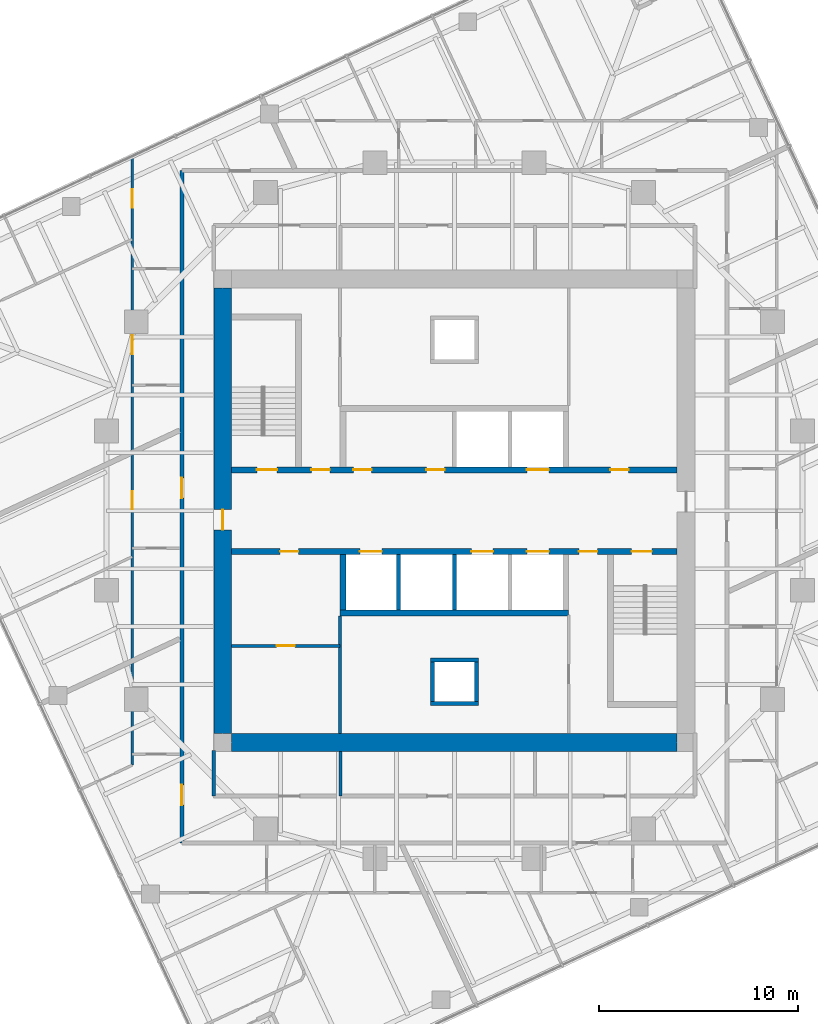
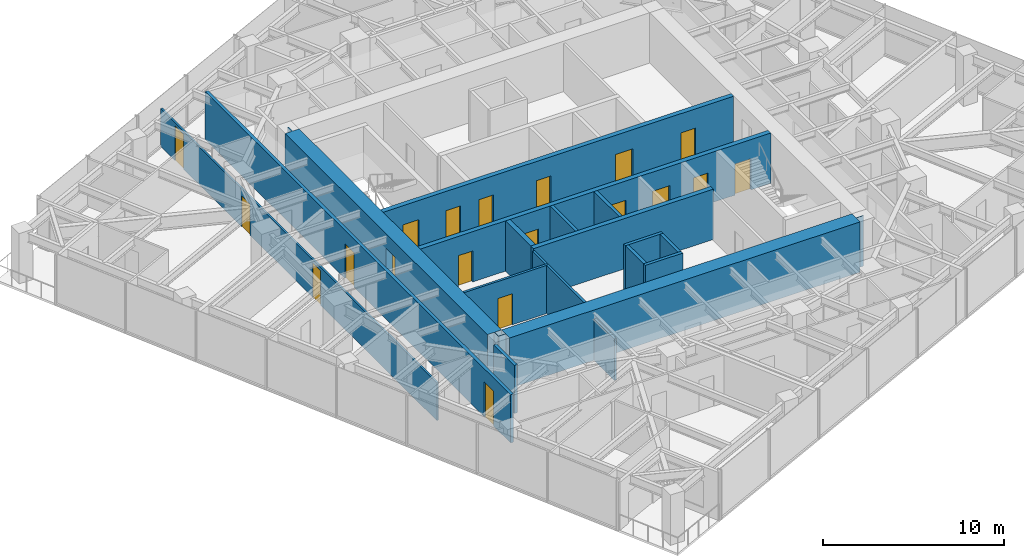
# One storey, part 8 of 12: 19 doors, 18 walls, 19 openings.
"""IFC4 building model written with IfcOpenShell, lengths in metres."""

from ifc_helpers import new_model, si_unit, direction, frame, frame_2d, origin, place, context, subcontext, project, spatial, polyline, rectangle, outline, extrude, material, layer, layer_set, type_object, element, fill, save


model = new_model("IFC4")

# Units and contexts
model_context = context("Model", 3, precision=1e-05, world=origin(), true_north=direction((0.0, 1.0)))
body_context = subcontext(model_context, "Body", "Model", "MODEL_VIEW")
ifc_project = project(units=[si_unit("LENGTHUNIT", "METRE"), si_unit("AREAUNIT", "SQUARE_METRE"), si_unit("VOLUMEUNIT", "CUBIC_METRE"), si_unit("PLANEANGLEUNIT", "RADIAN"), si_unit("MASSUNIT", "GRAM", prefix="KILO")], contexts=[model_context])

# Site, building, storey
site_placement = place(None, origin())
site = spatial("IfcSite", under=ifc_project, at=site_placement, CompositionType="ELEMENT")
building_placement = place(site_placement, origin())
building = spatial("IfcBuilding", under=site, at=building_placement, Name="Torsade Residences", CompositionType="ELEMENT")
storey_placement = place(building_placement, frame((0.0, 0.0, 189.60009765625)))
storey = spatial("IfcBuildingStorey", under=building, at=storey_placement, Name="L52", CompositionType="ELEMENT", Elevation=189.60009765625)

# Wall, openings, doors
ifc_material_1 = material(Name="Concrete 80 MPa", Category="concrete")
ifc_layer_1 = layer(ifc_material_1, 0.300048828125)
ifc_layer_set_1 = layer_set([ifc_layer_1], Name="Concrete 80 MPa")
wall_type_1 = type_object("IfcWallType", Name="CORE INTERNAL WALL 300", PredefinedType="SHEAR", material=ifc_layer_set_1)
wall_1_placement = place(storey_placement, frame((28.800048828125, 32.050048828125, 0.0), z_axis=(0.0, 0.0, 1.0), x_axis=(1.0, 0.0, 0.0)))
wall_1 = element("IfcWall", 1, at=wall_1_placement, inside=storey, type_object=wall_type_1, Name="Core wall LN L52", PredefinedType="SHEAR", context=body_context, shape_type="SweptSolid", body=[
    extrude(rectangle(XDim=22.39990234375, YDim=0.300048828125, at=frame_2d((11.199951171875, 0.0))), origin(), (0.0, 0.0, 1.0), 3.39990234375),
])
opening_1_placement = place(wall_1_placement, frame((19.0400390625, 0.0, 0.0)))
opening_1 = element("IfcOpeningElement", 2, at=opening_1_placement, cuts=wall_1, Name="Opening D06", PredefinedType="OPENING", context=body_context, shape_type="SweptSolid", body=[
    extrude(rectangle(XDim=0.919921875, YDim=2.10009765625, at=frame_2d((0.4599609375, 1.050048828125))), frame((0.0, 0.159912109375, 0.0), z_axis=(0.0, -1.0, 0.0), x_axis=(1.0, 0.0, 0.0)), (0.0, 0.0, 1.0), 0.320068359375),
])
opening_2_placement = place(wall_1_placement, frame((1.264892578125, 0.0, 0.0)))
opening_2 = element("IfcOpeningElement", 3, at=opening_2_placement, cuts=wall_1, Name="Opening D03", PredefinedType="OPENING", context=body_context, shape_type="SweptSolid", body=[
    extrude(rectangle(XDim=1.02001953125, YDim=2.10009765625, at=frame_2d((0.510009765625, 1.050048828125))), frame((0.0, 0.159912109375, 0.0), z_axis=(0.0, -1.0, 0.0), x_axis=(1.0, 0.0, 0.0)), (0.0, 0.0, 1.0), 0.320068359375),
])
opening_3_placement = place(wall_1_placement, frame((4.014892578125, 0.0, 0.0)))
opening_3 = element("IfcOpeningElement", 4, at=opening_3_placement, cuts=wall_1, Name="Opening D06", PredefinedType="OPENING", context=body_context, shape_type="SweptSolid", body=[
    extrude(rectangle(XDim=0.919921875, YDim=2.10009765625, at=frame_2d((0.4599609375, 1.050048828125))), frame((0.0, 0.159912109375, 0.0), z_axis=(0.0, -1.0, 0.0), x_axis=(1.0, 0.0, 0.0)), (0.0, 0.0, 1.0), 0.320068359375),
])
opening_4_placement = place(wall_1_placement, frame((6.114990234375, 0.0, 0.0)))
opening_4 = element("IfcOpeningElement", 5, at=opening_4_placement, cuts=wall_1, Name="Opening D06", PredefinedType="OPENING", context=body_context, shape_type="SweptSolid", body=[
    extrude(rectangle(XDim=0.919921875, YDim=2.10009765625, at=frame_2d((0.4599609375, 1.050048828125))), frame((0.0, 0.159912109375, 0.0), z_axis=(0.0, -1.0, 0.0), x_axis=(1.0, 0.0, 0.0)), (0.0, 0.0, 1.0), 0.320068359375),
])
opening_5_placement = place(wall_1_placement, frame((9.7900390625, 0.0, 0.0)))
opening_5 = element("IfcOpeningElement", 6, at=opening_5_placement, cuts=wall_1, Name="Opening D06", PredefinedType="OPENING", context=body_context, shape_type="SweptSolid", body=[
    extrude(rectangle(XDim=0.919921875, YDim=2.10009765625, at=frame_2d((0.4599609375, 1.050048828125))), frame((0.0, 0.159912109375, 0.0), z_axis=(0.0, -1.0, 0.0), x_axis=(1.0, 0.0, 0.0)), (0.0, 0.0, 1.0), 0.320068359375),
])
opening_6_placement = place(wall_1_placement, frame((14.85009765625, 0.0, 0.0)))
opening_6 = element("IfcOpeningElement", 7, at=opening_6_placement, cuts=wall_1, Name="Opening LD", PredefinedType="OPENING", context=body_context, shape_type="SweptSolid", body=[
    extrude(rectangle(XDim=1.10009765625, YDim=2.10009765625, at=frame_2d((0.550048828125, 1.050048828125))), frame((0.0, 0.159912109375, 0.0), z_axis=(0.0, -1.0, 0.0), x_axis=(1.0, 0.0, 0.0)), (0.0, 0.0, 1.0), 0.320068359375),
])
ifc_material_2 = material(Name="Steel-framed fire door", Category="steel")
door_type_1 = type_object("IfcDoorType", Name="FIRE DOOR 1020", OperationType="NOTDEFINED", PredefinedType="DOOR", material=ifc_material_2)
door_1_placement = place(opening_2_placement, origin())
door_1 = element("IfcDoor", 8, at=door_1_placement, inside=storey, type_object=door_type_1, Name="Exit door to fire-isolated stair ST1 L52", OperationType="SINGLE_SWING_RIGHT", OverallHeight=2.10009765625, OverallWidth=1.02001953125, PredefinedType="DOOR", context=body_context, shape_type="SweptSolid", body=[
    extrude(rectangle(XDim=1.02001953125, YDim=2.10009765625, at=frame_2d((0.510009765625, 1.050048828125))), frame((0.0, 0.02490234375, 0.0), z_axis=(0.0, -1.0, 0.0), x_axis=(1.0, 0.0, 0.0)), (0.0, 0.0, 1.0), 0.050048828125),
])
fill(opening_2, door_1)
ifc_material_3 = material(Name="Steel-framed fire door", Category="steel")
door_type_2 = type_object("IfcDoorType", Name="FIRE DOOR 920", OperationType="NOTDEFINED", PredefinedType="DOOR", material=ifc_material_3)
door_2_placement = place(opening_1_placement, origin())
door_2 = element("IfcDoor", 9, at=door_2_placement, inside=storey, type_object=door_type_2, Name="Door Lift lobby to Refuse room", OperationType="SINGLE_SWING_LEFT", OverallHeight=2.10009765625, OverallWidth=0.919921875, PredefinedType="DOOR", context=body_context, shape_type="SweptSolid", body=[
    extrude(rectangle(XDim=0.919921875, YDim=2.10009765625, at=frame_2d((0.4599609375, 1.050048828125))), frame((0.0, 0.02490234375, 0.0), z_axis=(0.0, -1.0, 0.0), x_axis=(1.0, 0.0, 0.0)), (0.0, 0.0, 1.0), 0.050048828125),
])
fill(opening_1, door_2)
door_3_placement = place(opening_3_placement, origin())
door_3 = element("IfcDoor", 10, at=door_3_placement, inside=storey, type_object=door_type_2, Name="Door Lift lobby to Main switchboard store", OperationType="SINGLE_SWING_LEFT", OverallHeight=2.10009765625, OverallWidth=0.919921875, PredefinedType="DOOR", context=body_context, shape_type="SweptSolid", body=[
    extrude(rectangle(XDim=0.919921875, YDim=2.10009765625, at=frame_2d((0.4599609375, 1.050048828125))), frame((0.0, 0.02490234375, 0.0), z_axis=(0.0, -1.0, 0.0), x_axis=(1.0, 0.0, 0.0)), (0.0, 0.0, 1.0), 0.050048828125),
])
fill(opening_3, door_3)
door_4_placement = place(opening_4_placement, origin())
door_4 = element("IfcDoor", 11, at=door_4_placement, inside=storey, type_object=door_type_2, Name="Door Lift lobby to Building manager store L52A", OperationType="SINGLE_SWING_LEFT", OverallHeight=2.10009765625, OverallWidth=0.919921875, PredefinedType="DOOR", context=body_context, shape_type="SweptSolid", body=[
    extrude(rectangle(XDim=0.919921875, YDim=2.10009765625, at=frame_2d((0.4599609375, 1.050048828125))), frame((0.0, 0.02490234375, 0.0), z_axis=(0.0, -1.0, 0.0), x_axis=(1.0, 0.0, 0.0)), (0.0, 0.0, 1.0), 0.050048828125),
])
fill(opening_4, door_4)
door_5_placement = place(opening_5_placement, origin())
door_5 = element("IfcDoor", 12, at=door_5_placement, inside=storey, type_object=door_type_2, Name="Door Lift lobby to Building manager store L52A", OperationType="SINGLE_SWING_RIGHT", OverallHeight=2.10009765625, OverallWidth=0.919921875, PredefinedType="DOOR", context=body_context, shape_type="SweptSolid", body=[
    extrude(rectangle(XDim=0.919921875, YDim=2.10009765625, at=frame_2d((0.4599609375, 1.050048828125))), frame((0.0, 0.02490234375, 0.0), z_axis=(0.0, -1.0, 0.0), x_axis=(1.0, 0.0, 0.0)), (0.0, 0.0, 1.0), 0.050048828125),
])
fill(opening_5, door_5)
ifc_material_4 = material(Name="Stainless steel lift landing door", Category="steel")
door_type_3 = type_object("IfcDoorType", Name="LIFT LANDING DOOR 1100", OperationType="SLIDING_TO_LEFT", PredefinedType="DOOR", material=ifc_material_4)
door_6_placement = place(opening_6_placement, origin())
door_6 = element("IfcDoor", 13, at=door_6_placement, inside=storey, type_object=door_type_3, Name="Lift FL1 landing door L52", OperationType="SLIDING_TO_LEFT", OverallHeight=2.10009765625, OverallWidth=1.10009765625, PredefinedType="DOOR", context=body_context, shape_type="SweptSolid", body=[
    extrude(rectangle(XDim=1.10009765625, YDim=2.10009765625, at=frame_2d((0.550048828125, 1.050048828125))), frame((0.0, 0.02490234375, 0.0), z_axis=(0.0, -1.0, 0.0), x_axis=(1.0, 0.0, 0.0)), (0.0, 0.0, 1.0), 0.050048828125),
])
fill(opening_6, door_6)

wall_2_placement = place(storey_placement, frame((51.199951171875, 27.949951171875, 0.0), z_axis=(0.0, 0.0, 1.0), x_axis=(-1.0, 0.0, 0.0)))
wall_2 = element("IfcWall", 14, at=wall_2_placement, inside=storey, type_object=wall_type_1, Name="Core wall LS L52", PredefinedType="SHEAR", context=body_context, shape_type="SweptSolid", body=[
    extrude(rectangle(XDim=22.39990234375, YDim=0.300048828125, at=frame_2d((11.199951171875, 0.0))), origin(), (0.0, 0.0, 1.0), 3.39990234375),
])
opening_7_placement = place(wall_2_placement, frame((19.0400390625, 0.0, 0.0)))
opening_7 = element("IfcOpeningElement", 15, at=opening_7_placement, cuts=wall_2, Name="Opening D06", PredefinedType="OPENING", context=body_context, shape_type="SweptSolid", body=[
    extrude(rectangle(XDim=0.919921875, YDim=2.10009765625, at=frame_2d((0.4599609375, 1.050048828125))), frame((0.0, 0.159912109375, 0.0), z_axis=(0.0, -1.0, 0.0), x_axis=(1.0, 0.0, 0.0)), (0.0, 0.0, 1.0), 0.320068359375),
])
opening_8_placement = place(wall_2_placement, frame((1.264892578125, 0.0, 0.0)))
opening_8 = element("IfcOpeningElement", 16, at=opening_8_placement, cuts=wall_2, Name="Opening D03", PredefinedType="OPENING", context=body_context, shape_type="SweptSolid", body=[
    extrude(rectangle(XDim=1.02001953125, YDim=2.10009765625, at=frame_2d((0.510009765625, 1.050048828125))), frame((0.0, 0.159912109375, 0.0), z_axis=(0.0, -1.0, 0.0), x_axis=(1.0, 0.0, 0.0)), (0.0, 0.0, 1.0), 0.320068359375),
])
opening_9_placement = place(wall_2_placement, frame((4.014892578125, 0.0, 0.0)))
opening_9 = element("IfcOpeningElement", 17, at=opening_9_placement, cuts=wall_2, Name="Opening D06", PredefinedType="OPENING", context=body_context, shape_type="SweptSolid", body=[
    extrude(rectangle(XDim=0.919921875, YDim=2.10009765625, at=frame_2d((0.4599609375, 1.050048828125))), frame((0.0, 0.159912109375, 0.0), z_axis=(0.0, -1.0, 0.0), x_axis=(1.0, 0.0, 0.0)), (0.0, 0.0, 1.0), 0.320068359375),
])
opening_10_placement = place(wall_2_placement, frame((6.449951171875, 0.0, 0.0)))
opening_10 = element("IfcOpeningElement", 18, at=opening_10_placement, cuts=wall_2, Name="Opening LD", PredefinedType="OPENING", context=body_context, shape_type="SweptSolid", body=[
    extrude(rectangle(XDim=1.10009765625, YDim=2.10009765625, at=frame_2d((0.550048828125, 1.050048828125))), frame((0.0, 0.159912109375, 0.0), z_axis=(0.0, -1.0, 0.0), x_axis=(1.0, 0.0, 0.0)), (0.0, 0.0, 1.0), 0.320068359375),
])
opening_11_placement = place(wall_2_placement, frame((9.25, 0.0, 0.0)))
opening_11 = element("IfcOpeningElement", 19, at=opening_11_placement, cuts=wall_2, Name="Opening LD", PredefinedType="OPENING", context=body_context, shape_type="SweptSolid", body=[
    extrude(rectangle(XDim=1.10009765625, YDim=2.10009765625, at=frame_2d((0.550048828125, 1.050048828125))), frame((0.0, 0.159912109375, 0.0), z_axis=(0.0, -1.0, 0.0), x_axis=(1.0, 0.0, 0.0)), (0.0, 0.0, 1.0), 0.320068359375),
])
opening_12_placement = place(wall_2_placement, frame((14.85009765625, 0.0, 0.0)))
opening_12 = element("IfcOpeningElement", 20, at=opening_12_placement, cuts=wall_2, Name="Opening LD", PredefinedType="OPENING", context=body_context, shape_type="SweptSolid", body=[
    extrude(rectangle(XDim=1.10009765625, YDim=2.10009765625, at=frame_2d((0.550048828125, 1.050048828125))), frame((0.0, 0.159912109375, 0.0), z_axis=(0.0, -1.0, 0.0), x_axis=(1.0, 0.0, 0.0)), (0.0, 0.0, 1.0), 0.320068359375),
])
door_7_placement = place(opening_8_placement, origin())
door_7 = element("IfcDoor", 21, at=door_7_placement, inside=storey, type_object=door_type_1, Name="Exit door to fire-isolated stair ST2 L52", OperationType="SINGLE_SWING_RIGHT", OverallHeight=2.10009765625, OverallWidth=1.02001953125, PredefinedType="DOOR", context=body_context, shape_type="SweptSolid", body=[
    extrude(rectangle(XDim=1.02001953125, YDim=2.10009765625, at=frame_2d((0.510009765625, 1.050048828125))), frame((0.0, 0.02490234375, 0.0), z_axis=(0.0, -1.0, 0.0), x_axis=(1.0, 0.0, 0.0)), (0.0, 0.0, 1.0), 0.050048828125),
])
fill(opening_8, door_7)
door_8_placement = place(opening_7_placement, origin())
door_8 = element("IfcDoor", 22, at=door_8_placement, inside=storey, type_object=door_type_2, Name="Door Lift lobby to Cleaner store", OperationType="SINGLE_SWING_LEFT", OverallHeight=2.10009765625, OverallWidth=0.919921875, PredefinedType="DOOR", context=body_context, shape_type="SweptSolid", body=[
    extrude(rectangle(XDim=0.919921875, YDim=2.10009765625, at=frame_2d((0.4599609375, 1.050048828125))), frame((0.0, 0.02490234375, 0.0), z_axis=(0.0, -1.0, 0.0), x_axis=(1.0, 0.0, 0.0)), (0.0, 0.0, 1.0), 0.050048828125),
])
fill(opening_7, door_8)
door_9_placement = place(opening_9_placement, origin())
door_9 = element("IfcDoor", 23, at=door_9_placement, inside=storey, type_object=door_type_2, Name="Door Lift lobby to Security and data store", OperationType="SINGLE_SWING_RIGHT", OverallHeight=2.10009765625, OverallWidth=0.919921875, PredefinedType="DOOR", context=body_context, shape_type="SweptSolid", body=[
    extrude(rectangle(XDim=0.919921875, YDim=2.10009765625, at=frame_2d((0.4599609375, 1.050048828125))), frame((0.0, 0.02490234375, 0.0), z_axis=(0.0, -1.0, 0.0), x_axis=(1.0, 0.0, 0.0)), (0.0, 0.0, 1.0), 0.050048828125),
])
fill(opening_9, door_9)
door_10_placement = place(opening_10_placement, origin())
door_10 = element("IfcDoor", 24, at=door_10_placement, inside=storey, type_object=door_type_3, Name="Lift LB1 landing door L52", OperationType="SLIDING_TO_LEFT", OverallHeight=2.10009765625, OverallWidth=1.10009765625, PredefinedType="DOOR", context=body_context, shape_type="SweptSolid", body=[
    extrude(rectangle(XDim=1.10009765625, YDim=2.10009765625, at=frame_2d((0.550048828125, 1.050048828125))), frame((0.0, 0.02490234375, 0.0), z_axis=(0.0, -1.0, 0.0), x_axis=(1.0, 0.0, 0.0)), (0.0, 0.0, 1.0), 0.050048828125),
])
fill(opening_10, door_10)
door_11_placement = place(opening_11_placement, origin())
door_11 = element("IfcDoor", 25, at=door_11_placement, inside=storey, type_object=door_type_3, Name="Lift LB2 landing door L52", OperationType="SLIDING_TO_LEFT", OverallHeight=2.10009765625, OverallWidth=1.10009765625, PredefinedType="DOOR", context=body_context, shape_type="SweptSolid", body=[
    extrude(rectangle(XDim=1.10009765625, YDim=2.10009765625, at=frame_2d((0.550048828125, 1.050048828125))), frame((0.0, 0.02490234375, 0.0), z_axis=(0.0, -1.0, 0.0), x_axis=(1.0, 0.0, 0.0)), (0.0, 0.0, 1.0), 0.050048828125),
])
fill(opening_11, door_11)
door_12_placement = place(opening_12_placement, origin())
door_12 = element("IfcDoor", 26, at=door_12_placement, inside=storey, type_object=door_type_3, Name="Lift FL2 landing door L52", OperationType="SLIDING_TO_LEFT", OverallHeight=2.10009765625, OverallWidth=1.10009765625, PredefinedType="DOOR", context=body_context, shape_type="SweptSolid", body=[
    extrude(rectangle(XDim=1.10009765625, YDim=2.10009765625, at=frame_2d((0.550048828125, 1.050048828125))), frame((0.0, 0.02490234375, 0.0), z_axis=(0.0, -1.0, 0.0), x_axis=(1.0, 0.0, 0.0)), (0.0, 0.0, 1.0), 0.050048828125),
])
fill(opening_12, door_12)

# Walls
wall_3_placement = place(storey_placement, frame((45.75, 24.85009765625, 0.0), z_axis=(0.0, 0.0, 1.0), x_axis=(-1.0, 0.0, 0.0)))
element("IfcWall", 27, at=wall_3_placement, inside=storey, type_object=wall_type_1, Name="Core wall BS L52", PredefinedType="SHEAR", context=body_context, shape_type="SweptSolid", body=[
    extrude(rectangle(XDim=11.5, YDim=0.300048828125, at=frame_2d((5.75, 0.0))), origin(), (0.0, 0.0, 1.0), 3.39990234375),
])
wall_4_placement = place(storey_placement, frame((34.39990234375, 27.800048828125, 0.0), z_axis=(0.0, 0.0, 1.0), x_axis=(0.0, -1.0, 0.0)))
element("IfcWall", 28, at=wall_4_placement, inside=storey, type_object=wall_type_1, Name="Core wall DS4 L52", PredefinedType="SHEAR", context=body_context, shape_type="SweptSolid", body=[
    extrude(rectangle(XDim=2.800048828125, YDim=0.300048828125, at=frame_2d((1.39990234375, 0.0))), origin(), (0.0, 0.0, 1.0), 3.39990234375),
])
ifc_material_5 = material(Name="Concrete 80 MPa", Category="concrete")
ifc_layer_2 = layer(ifc_material_5, 0.89990234375)
ifc_layer_set_2 = layer_set([ifc_layer_2], Name="Concrete 80 MPa")
wall_type_2 = type_object("IfcWallType", Name="CORE WALL 900", PredefinedType="SHEAR", material=ifc_layer_set_2)
wall_5_placement = place(storey_placement, frame((51.199951171875, 18.35009765625, 0.0), z_axis=(0.0, 0.0, 1.0), x_axis=(-1.0, 0.0, 0.0)))
element("IfcWall", 29, at=wall_5_placement, inside=storey, type_object=wall_type_2, Name="Core wall S L52", PredefinedType="SHEAR", context=body_context, shape_type="SweptSolid", body=[
    extrude(outline(polyline([(0.0, -0.449951171875), (22.39990234375, -0.449951171875), (22.39990234375, -0.02490234375), (22.849853515625, -0.02490234375), (22.849853515625, 0.02490234375), (22.39990234375, 0.02490234375), (22.39990234375, 0.449951171875), (0.0, 0.449951171875), (0.0, 0.02490234375), (-0.449951171875, 0.02490234375), (-0.449951171875, -0.02490234375), (0.0, -0.02490234375), (0.0, -0.449951171875)])), origin(), (0.0, 0.0, 1.0), 3.39990234375),
])

# Wall, opening, door
wall_6_placement = place(storey_placement, frame((28.35009765625, 41.199951171875, 0.0), z_axis=(0.0, 0.0, 1.0), x_axis=(0.0, -1.0, 0.0)))
wall_6 = element("IfcWall", 30, at=wall_6_placement, inside=storey, type_object=wall_type_2, Name="Core wall W L52", PredefinedType="SHEAR", context=body_context, shape_type="SweptSolid", body=[
    extrude(outline(polyline([(0.0, -0.449951171875), (22.39990234375, -0.449951171875), (22.39990234375, -0.02490234375), (22.849853515625, -0.02490234375), (22.849853515625, 0.02490234375), (22.39990234375, 0.02490234375), (22.39990234375, 0.449951171875), (0.0, 0.449951171875), (0.0, 0.02490234375), (-0.449951171875, 0.02490234375), (-0.449951171875, -0.02490234375), (0.0, -0.02490234375), (0.0, -0.449951171875)])), origin(), (0.0, 0.0, 1.0), 3.39990234375),
])
opening_13_placement = place(wall_6_placement, frame((11.139892578125, 0.0, 0.0)))
opening_13 = element("IfcOpeningElement", 31, at=opening_13_placement, cuts=wall_6, Name="Opening D04", PredefinedType="OPENING", context=body_context, shape_type="SweptSolid", body=[
    extrude(rectangle(XDim=1.02001953125, YDim=2.39990234375, at=frame_2d((0.510009765625, 1.199951171875))), frame((0.0, 0.4599609375, 0.0), z_axis=(0.0, -1.0, 0.0), x_axis=(1.0, 0.0, 0.0)), (0.0, 0.0, 1.0), 0.919921875),
])
ifc_material_6 = material(Name="Steel-framed fire door", Category="steel")
door_type_4 = type_object("IfcDoorType", Name="LOBBY SMOKE DOOR 1020x2400", OperationType="NOTDEFINED", PredefinedType="DOOR", material=ifc_material_6)
door_13_placement = place(opening_13_placement, origin())
door_13 = element("IfcDoor", 32, at=door_13_placement, inside=storey, type_object=door_type_4, Name="Lift lobby door W L52", OperationType="SINGLE_SWING_RIGHT", OverallHeight=2.39990234375, OverallWidth=1.02001953125, PredefinedType="DOOR", context=body_context, shape_type="SweptSolid", body=[
    extrude(rectangle(XDim=1.02001953125, YDim=2.39990234375, at=frame_2d((0.510009765625, 1.199951171875))), frame((0.0, 0.02490234375, 0.0), z_axis=(0.0, -1.0, 0.0), x_axis=(1.0, 0.0, 0.0)), (0.0, 0.0, 1.0), 0.050048828125),
])
fill(opening_13, door_13)

# Wall, openings, doors
ifc_material_7 = material(Name="Plasterboard on steel stud", Category="steel")
ifc_layer_3 = layer(ifc_material_7, 0.199951171875)
ifc_layer_set_3 = layer_set([ifc_layer_3], Name="Plasterboard on steel stud")
wall_type_3 = type_object("IfcWallType", Name="CORRIDOR WALL 200", PredefinedType="PARTITIONING", material=ifc_layer_set_3)
wall_7_placement = place(storey_placement, frame((26.300048828125, 47.10009765625, 0.0), z_axis=(0.0, 0.0, 1.0), x_axis=(0.0, -1.0, 0.0)))
wall_7 = element("IfcWall", 33, at=wall_7_placement, inside=storey, type_object=wall_type_3, Name="Corridor wall L52", PredefinedType="PARTITIONING", context=body_context, shape_type="SweptSolid", body=[
    extrude(rectangle(XDim=33.800048828125, YDim=0.199951171875, at=frame_2d((16.89990234375, 0.0))), origin(), (0.0, 0.0, 1.0), 3.25),
])
opening_14_placement = place(wall_7_placement, frame((15.44873046875, 0.0, 0.0)))
opening_14 = element("IfcOpeningElement", 34, at=opening_14_placement, cuts=wall_7, Name="Opening D01", PredefinedType="OPENING", context=body_context, shape_type="SweptSolid", body=[
    extrude(rectangle(XDim=1.02001953125, YDim=2.340087890625, at=frame_2d((0.510009765625, 1.169921875))), frame((0.0, 0.10986328125, 0.0), z_axis=(0.0, -1.0, 0.0), x_axis=(1.0, 0.0, 0.0)), (0.0, 0.0, 1.0), 0.219970703125),
])
opening_15_placement = place(wall_7_placement, frame((30.882568359375, 0.0, 0.0)))
opening_15 = element("IfcOpeningElement", 35, at=opening_15_placement, cuts=wall_7, Name="Opening D01", PredefinedType="OPENING", context=body_context, shape_type="SweptSolid", body=[
    extrude(rectangle(XDim=1.02001953125, YDim=2.340087890625, at=frame_2d((0.510009765625, 1.169921875))), frame((0.0, 0.10986328125, 0.0), z_axis=(0.0, -1.0, 0.0), x_axis=(1.0, 0.0, 0.0)), (0.0, 0.0, 1.0), 0.219970703125),
])
ifc_material_8 = material(Name="Solid-core timber fire door", Category="wood")
door_type_5 = type_object("IfcDoorType", Name="APARTMENT ENTRY DOOR 1020x2340", OperationType="NOTDEFINED", PredefinedType="DOOR", material=ifc_material_8)
door_14_placement = place(opening_14_placement, origin())
door_14 = element("IfcDoor", 36, at=door_14_placement, inside=storey, type_object=door_type_5, Name="Door Residential corridor to Kitchen and dining", OperationType="SINGLE_SWING_RIGHT", OverallHeight=2.340087890625, OverallWidth=1.02001953125, PredefinedType="DOOR", context=body_context, shape_type="SweptSolid", body=[
    extrude(rectangle(XDim=1.02001953125, YDim=2.340087890625, at=frame_2d((0.510009765625, 1.169921875))), frame((0.0, 0.02490234375, 0.0), z_axis=(0.0, -1.0, 0.0), x_axis=(1.0, 0.0, 0.0)), (0.0, 0.0, 1.0), 0.050048828125),
])
fill(opening_14, door_14)
door_15_placement = place(opening_15_placement, origin())
door_15 = element("IfcDoor", 37, at=door_15_placement, inside=storey, type_object=door_type_5, Name="Door Residential corridor to Kitchen and dining", OperationType="SINGLE_SWING_RIGHT", OverallHeight=2.340087890625, OverallWidth=1.02001953125, PredefinedType="DOOR", context=body_context, shape_type="SweptSolid", body=[
    extrude(rectangle(XDim=1.02001953125, YDim=2.340087890625, at=frame_2d((0.510009765625, 1.169921875))), frame((0.0, 0.02490234375, 0.0), z_axis=(0.0, -1.0, 0.0), x_axis=(1.0, 0.0, 0.0)), (0.0, 0.0, 1.0), 0.050048828125),
])
fill(opening_15, door_15)

# Walls
wall_8_placement = place(storey_placement, frame((27.89990234375, 17.949951171875, 0.0), z_axis=(0.0, 0.0, 1.0), x_axis=(0.0, -1.0, 0.0)))
element("IfcWall", 38, at=wall_8_placement, inside=storey, type_object=wall_type_3, Name="Corridor wall L52", PredefinedType="PARTITIONING", context=body_context, shape_type="SweptSolid", body=[
    extrude(rectangle(XDim=2.300048828125, YDim=0.199951171875, at=frame_2d((1.14990234375, 0.0))), origin(), (0.0, 0.0, 1.0), 3.25),
])
ifc_material_9 = material(Name="Reinforced blockwork", Category="masonry")
ifc_layer_4 = layer(ifc_material_9, 0.199951171875)
ifc_layer_set_4 = layer_set([ifc_layer_4], Name="Reinforced blockwork")
wall_type_4 = type_object("IfcWallType", Name="LIFT SHAFT DIVIDING WALL 200", PredefinedType="SOLIDWALL", material=ifc_layer_set_4)
for number, where, z_axis, x_axis, name in (
    (39, (40.0, 27.800048828125, 0.0), (0.0, 0.0, 1.0), (0.0, -1.0, 0.0), "Core wall DS2 L52"),
    (40, (37.199951171875, 27.800048828125, 0.0), (0.0, 0.0, 1.0), (0.0, -1.0, 0.0), "Core wall DS3 L52"),
):
    element("IfcWall", number, at=place(storey_placement, frame(where, z_axis=z_axis, x_axis=x_axis)), inside=storey, type_object=wall_type_4, Name=name, PredefinedType="SOLIDWALL", context=body_context, shape_type="SweptSolid", body=[
        extrude(rectangle(XDim=2.800048828125, YDim=0.199951171875, at=frame_2d((1.39990234375, 0.0))), origin(), (0.0, 0.0, 1.0), 3.39990234375),
    ])

# Wall, openings, doors
ifc_material_10 = material(Name="Plasterboard on steel stud", Category="steel")
ifc_layer_5 = layer(ifc_material_10, 0.1201171875)
ifc_layer_set_5 = layer_set([ifc_layer_5], Name="Plasterboard on steel stud")
wall_type_5 = type_object("IfcWallType", Name="PARTITION 120", PredefinedType="PARTITIONING", material=ifc_layer_set_5)
wall_9_placement = place(storey_placement, frame((23.800048828125, 17.204833984375, 0.0), z_axis=(0.0, 0.0, 1.0), x_axis=(0.0, 1.0, 0.0)))
wall_9 = element("IfcWall", 41, at=wall_9_placement, inside=storey, type_object=wall_type_5, Name="Partition L52", PredefinedType="PARTITIONING", context=body_context, shape_type="SweptSolid", body=[
    extrude(rectangle(XDim=30.574462890625, YDim=0.1201171875, at=frame_2d((15.287109375, 0.0))), origin(), (0.0, 0.0, 1.0), 2.5498046875),
])
opening_16_placement = place(wall_9_placement, frame((12.857421875, 0.0, 0.0)))
opening_16 = element("IfcOpeningElement", 42, at=opening_16_placement, cuts=wall_9, Name="Opening D02", PredefinedType="OPENING", context=body_context, shape_type="SweptSolid", body=[
    extrude(rectangle(XDim=0.919921875, YDim=2.340087890625, at=frame_2d((0.4599609375, 1.169921875))), frame((0.0, 0.070068359375, 0.0), z_axis=(0.0, -1.0, 0.0), x_axis=(1.0, 0.0, 0.0)), (0.0, 0.0, 1.0), 0.14013671875),
])
opening_17_placement = place(wall_9_placement, frame((28.0419921875, 0.0, 0.0)))
opening_17 = element("IfcOpeningElement", 43, at=opening_17_placement, cuts=wall_9, Name="Opening D02", PredefinedType="OPENING", context=body_context, shape_type="SweptSolid", body=[
    extrude(rectangle(XDim=0.919921875, YDim=2.340087890625, at=frame_2d((0.4599609375, 1.169921875))), frame((0.0, 0.070068359375, 0.0), z_axis=(0.0, -1.0, 0.0), x_axis=(1.0, 0.0, 0.0)), (0.0, 0.0, 1.0), 0.14013671875),
])
opening_18_placement = place(wall_9_placement, frame((20.6552734375, 0.0, 0.0)))
opening_18 = element("IfcOpeningElement", 44, at=opening_18_placement, cuts=wall_9, Name="Opening D05", PredefinedType="OPENING", context=body_context, shape_type="SweptSolid", body=[
    extrude(rectangle(XDim=0.9599609375, YDim=2.10009765625, at=frame_2d((0.47998046875, 1.050048828125))), frame((0.0, 0.070068359375, 0.0), z_axis=(0.0, -1.0, 0.0), x_axis=(1.0, 0.0, 0.0)), (0.0, 0.0, 1.0), 0.14013671875),
])
ifc_material_11 = material(Name="Hollow-core timber door in a steel cavity frame", Category="steel")
door_type_6 = type_object("IfcDoorType", Name="BATHROOM CAVITY SLIDING DOOR 960", OperationType="SLIDING_TO_LEFT", PredefinedType="DOOR", material=ifc_material_11)
door_16_placement = place(opening_18_placement, origin())
door_16 = element("IfcDoor", 45, at=door_16_placement, inside=storey, type_object=door_type_6, Name="Door Bathroom to Living room", OperationType="SLIDING_TO_LEFT", OverallHeight=2.10009765625, OverallWidth=0.9599609375, PredefinedType="DOOR", context=body_context, shape_type="SweptSolid", body=[
    extrude(rectangle(XDim=0.9599609375, YDim=2.10009765625, at=frame_2d((0.47998046875, 1.050048828125))), frame((0.0, 0.02490234375, 0.0), z_axis=(0.0, -1.0, 0.0), x_axis=(1.0, 0.0, 0.0)), (0.0, 0.0, 1.0), 0.050048828125),
])
fill(opening_18, door_16)
ifc_material_12 = material(Name="Hollow-core timber door", Category="wood")
door_type_7 = type_object("IfcDoorType", Name="INTERNAL DOOR 920x2340", OperationType="NOTDEFINED", PredefinedType="DOOR", material=ifc_material_12)
door_17_placement = place(opening_16_placement, origin())
door_17 = element("IfcDoor", 46, at=door_17_placement, inside=storey, type_object=door_type_7, Name="Door Kitchen and dining to Living room", OperationType="SINGLE_SWING_RIGHT", OverallHeight=2.340087890625, OverallWidth=0.919921875, PredefinedType="DOOR", context=body_context, shape_type="SweptSolid", body=[
    extrude(rectangle(XDim=0.919921875, YDim=2.340087890625, at=frame_2d((0.4599609375, 1.169921875))), frame((0.0, 0.02490234375, 0.0), z_axis=(0.0, -1.0, 0.0), x_axis=(1.0, 0.0, 0.0)), (0.0, 0.0, 1.0), 0.050048828125),
])
fill(opening_16, door_17)
door_18_placement = place(opening_17_placement, origin())
door_18 = element("IfcDoor", 47, at=door_18_placement, inside=storey, type_object=door_type_7, Name="Door Kitchen and dining to Bedroom 1", OperationType="SINGLE_SWING_LEFT", OverallHeight=2.340087890625, OverallWidth=0.919921875, PredefinedType="DOOR", context=body_context, shape_type="SweptSolid", body=[
    extrude(rectangle(XDim=0.919921875, YDim=2.340087890625, at=frame_2d((0.4599609375, 1.169921875))), frame((0.0, 0.02490234375, 0.0), z_axis=(0.0, -1.0, 0.0), x_axis=(1.0, 0.0, 0.0)), (0.0, 0.0, 1.0), 0.050048828125),
])
fill(opening_17, door_18)

# Walls
ifc_material_13 = material(Name="Reinforced blockwork", Category="masonry")
ifc_layer_6 = layer(ifc_material_13, 0.199951171875)
ifc_layer_set_6 = layer_set([ifc_layer_6], Name="Reinforced blockwork")
wall_type_6 = type_object("IfcWallType", Name="RISER SHAFT WALL 200", PredefinedType="SOLIDWALL", material=ifc_layer_set_6)
for number, where, z_axis, x_axis, name in (
    (48, (38.89990234375, 22.39990234375, 0.0), (0.0, 0.0, 1.0), (0.0, -1.0, 0.0), "Core wall RS2a L52"),
    (49, (41.10009765625, 22.39990234375, 0.0), (0.0, 0.0, 1.0), (0.0, -1.0, 0.0), "Core wall RS2b L52"),
):
    element("IfcWall", number, at=place(storey_placement, frame(where, z_axis=z_axis, x_axis=x_axis)), inside=storey, type_object=wall_type_6, Name=name, PredefinedType="SOLIDWALL", context=body_context, shape_type="SweptSolid", body=[
        extrude(rectangle(XDim=2.0, YDim=0.199951171875, at=frame_2d((1.0, 0.0))), origin(), (0.0, 0.0, 1.0), 3.39990234375),
    ])
for number, where, z_axis, x_axis, name in (
    (50, (38.800048828125, 22.5, 0.0), (0.0, 0.0, 1.0), (1.0, 0.0, 0.0), "Core wall RS2c L52"),
    (51, (38.800048828125, 20.300048828125, 0.0), (0.0, 0.0, 1.0), (1.0, 0.0, 0.0), "Core wall RS2d L52"),
):
    element("IfcWall", number, at=place(storey_placement, frame(where, z_axis=z_axis, x_axis=x_axis)), inside=storey, type_object=wall_type_6, Name=name, PredefinedType="SOLIDWALL", context=body_context, shape_type="SweptSolid", body=[
        extrude(rectangle(XDim=2.39990234375, YDim=0.199951171875, at=frame_2d((1.199951171875, 0.0))), origin(), (0.0, 0.0, 1.0), 3.39990234375),
    ])
ifc_material_14 = material(Name="Reinforced blockwork", Category="masonry")
ifc_layer_7 = layer(ifc_material_14, 0.14990234375)
ifc_layer_set_7 = layer_set([ifc_layer_7], Name="Reinforced blockwork")
wall_type_7 = type_object("IfcWallType", Name="SERVICE ROOM WALL 150", PredefinedType="SOLIDWALL", material=ifc_layer_set_7)
wall_10_placement = place(storey_placement, frame((34.25, 18.800048828125, 0.0), z_axis=(0.0, 0.0, 1.0), x_axis=(0.0, 1.0, 0.0)))
element("IfcWall", 52, at=wall_10_placement, inside=storey, type_object=wall_type_7, Name="Service room wall L52", PredefinedType="SOLIDWALL", context=body_context, shape_type="SweptSolid", body=[
    extrude(rectangle(XDim=5.89990234375, YDim=0.14990234375, at=frame_2d((2.949951171875, 0.0))), origin(), (0.0, 0.0, 1.0), 3.25),
])

# Wall, opening, door
wall_11_placement = place(storey_placement, frame((34.25, 23.199951171875, 0.0), z_axis=(0.0, 0.0, 1.0), x_axis=(-1.0, 0.0, 0.0)))
wall_11 = element("IfcWall", 53, at=wall_11_placement, inside=storey, type_object=wall_type_7, Name="Service room wall L52", PredefinedType="SOLIDWALL", context=body_context, shape_type="SweptSolid", body=[
    extrude(rectangle(XDim=5.449951171875, YDim=0.14990234375, at=frame_2d((2.72509765625, 0.0))), origin(), (0.0, 0.0, 1.0), 3.25),
])
opening_19_placement = place(wall_11_placement, frame((2.264892578125, 0.0, 0.0)))
opening_19 = element("IfcOpeningElement", 54, at=opening_19_placement, cuts=wall_11, Name="Opening D06", PredefinedType="OPENING", context=body_context, shape_type="SweptSolid", body=[
    extrude(rectangle(XDim=0.919921875, YDim=2.10009765625, at=frame_2d((0.4599609375, 1.050048828125))), frame((0.0, 0.0849609375, 0.0), z_axis=(0.0, -1.0, 0.0), x_axis=(1.0, 0.0, 0.0)), (0.0, 0.0, 1.0), 0.169921875),
])
door_19_placement = place(opening_19_placement, origin())
door_19 = element("IfcDoor", 55, at=door_19_placement, inside=storey, type_object=door_type_2, Name="Door Cleaner store to Building store", OperationType="SINGLE_SWING_LEFT", OverallHeight=2.10009765625, OverallWidth=0.919921875, PredefinedType="DOOR", context=body_context, shape_type="SweptSolid", body=[
    extrude(rectangle(XDim=0.919921875, YDim=2.10009765625, at=frame_2d((0.4599609375, 1.050048828125))), frame((0.0, 0.02490234375, 0.0), z_axis=(0.0, -1.0, 0.0), x_axis=(1.0, 0.0, 0.0)), (0.0, 0.0, 1.0), 0.050048828125),
])
fill(opening_19, door_19)

# Wall
wall_12_placement = place(storey_placement, frame((34.2646484375, 15.64990234375, 0.0), z_axis=(0.0, 0.0, 1.0), x_axis=(0.0, 1.0, 0.0)))
element("IfcWall", 56, at=wall_12_placement, inside=storey, type_object=wall_type_7, Name="Service room wall L52", PredefinedType="SOLIDWALL", context=body_context, shape_type="SweptSolid", body=[
    extrude(rectangle(XDim=2.25, YDim=0.14990234375, at=frame_2d((1.125, 0.0))), origin(), (0.0, 0.0, 1.0), 2.7958984375),
])

save(model, "model.ifc")
